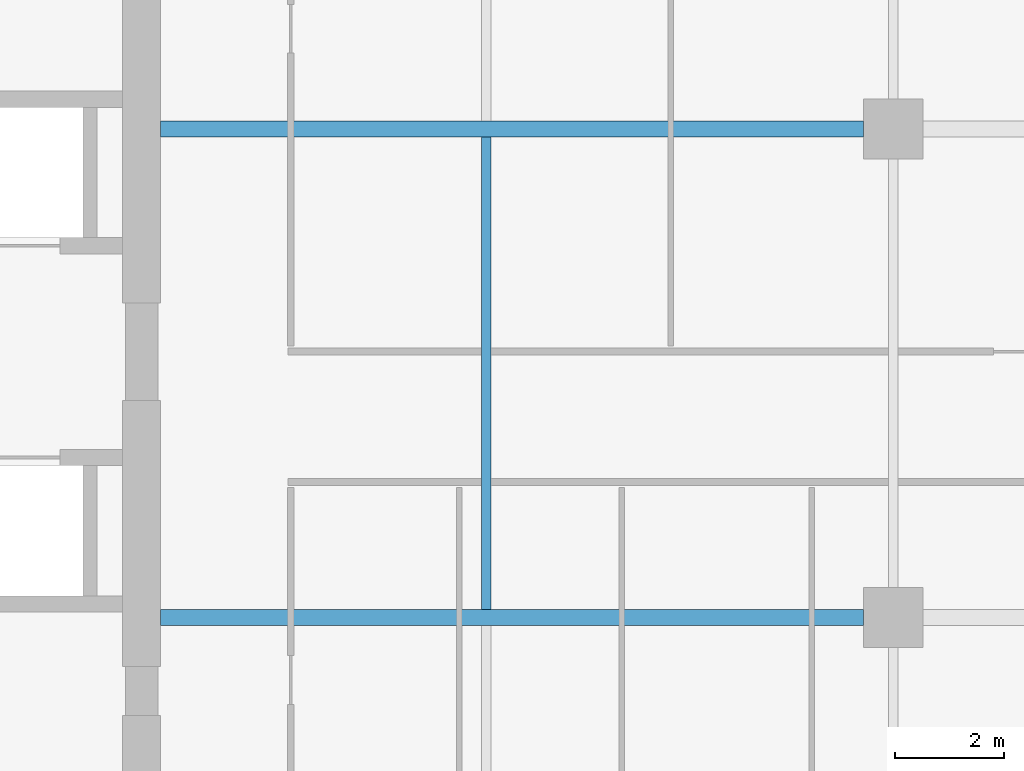
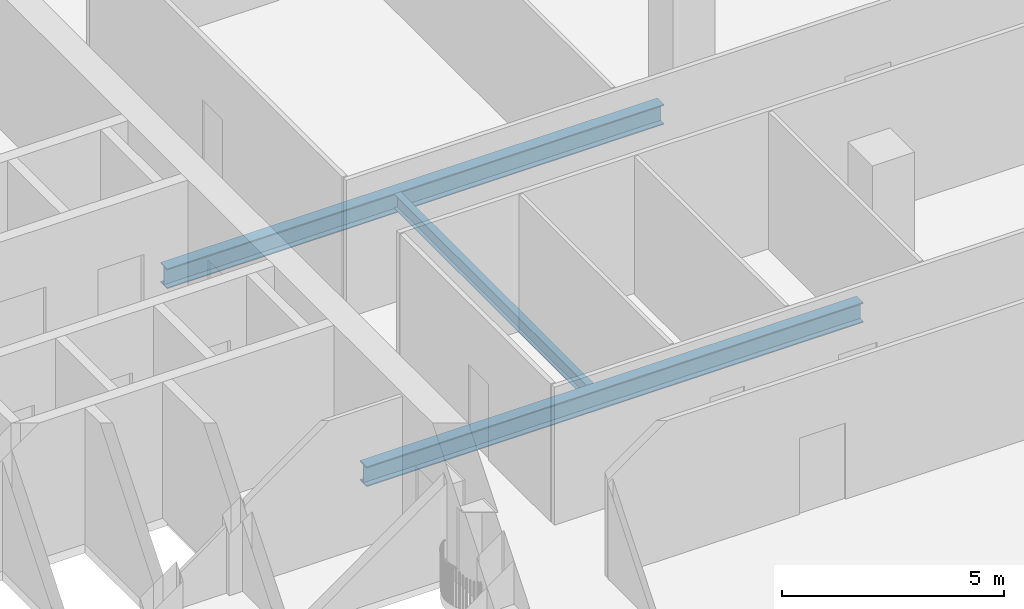
# One storey, part 7 of 33: 3 beams.
"""IFC4 building model written with IfcOpenShell, lengths in metres."""

import ifcopenshell
import ifcopenshell.guid

model = None  # the IFC model being written
_history = None  # IfcOwnerHistory: only IFC2X3 demands one
_inside = {}  # id of a spatial element -> (the spatial element, [elements in it])
_under = {}  # id of a project, library or spatial element -> (it, [spatial elements below it])
_declared = {}  # id of a project -> (the project, [libraries it declares])
_typed = {}  # id of a type object -> (the type object, [elements of that type])
_made_of = {}  # id of a material, layer set ... -> (it, [elements and type objects made of it])


def new_model(schema):
    """Start an empty IFC model of exactly this schema.

    Asked for "IFC4X3", IfcOpenShell would pick the latest addendum, in which some entities
    have other attributes; the version numbers below select the first issue.
    IFC2X3 requires an IfcOwnerHistory on every rooted entity: one is made here for all.
    """
    global model, _history
    if schema == "IFC4X3":
        model = ifcopenshell.file(schema_version=(4, 3, 0, 0))
    else:
        model = ifcopenshell.file(schema=schema)
    _inside.clear()
    _under.clear()
    _declared.clear()
    _typed.clear()
    _made_of.clear()
    _history = None
    if model.schema == "IFC2X3":
        org = make("IfcOrganization", Name="unknown")
        user = make(
            "IfcPersonAndOrganization",
            ThePerson=make("IfcPerson", FamilyName="unknown"),
            TheOrganization=org,
        )
        app = make(
            "IfcApplication",
            ApplicationDeveloper=org,
            Version="unknown",
            ApplicationFullName="unknown",
            ApplicationIdentifier="unknown",
        )
        _history = make(
            "IfcOwnerHistory",
            OwningUser=user,
            OwningApplication=app,
            ChangeAction="ADDED",
            CreationDate=0,
        )
    return model


def make(cls, **values):
    """One entity of the class cls with the attributes given. An attribute that is None is left unset."""
    return model.create_entity(
        cls, **{name: value for name, value in values.items() if value is not None}
    )


def rooted(cls, **values):
    """An entity with a GlobalId (a new one), such as an element, a storey or a relation."""
    return make(cls, GlobalId=ifcopenshell.guid.new(), OwnerHistory=_history, **values)


def si_unit(unit_type, name, prefix=None):
    """IfcSIUnit, for example si_unit("LENGTHUNIT", "METRE", prefix="MILLI")."""
    return make("IfcSIUnit", UnitType=unit_type, Prefix=prefix, Name=name)


def assignment(units):
    """IfcUnitAssignment: the units of a project."""
    return None if units is None else make("IfcUnitAssignment", Units=units)


def point(xyz):
    """IfcCartesianPoint."""
    return None if xyz is None else make("IfcCartesianPoint", Coordinates=xyz)


def direction(xyz):
    """IfcDirection."""
    return None if xyz is None else make("IfcDirection", DirectionRatios=xyz)


def frame(location, z_axis=None, x_axis=None):
    """IfcAxis2Placement3D, a coordinate frame: its origin and axes. An axis left out is left unset."""
    return make(
        "IfcAxis2Placement3D",
        Location=point(location),
        Axis=direction(z_axis),
        RefDirection=direction(x_axis),
    )


def frame_2d(location, x_axis=None):
    """IfcAxis2Placement2D, a coordinate frame in the plane: its origin and x axis."""
    return make(
        "IfcAxis2Placement2D", Location=point(location), RefDirection=direction(x_axis)
    )


def origin():
    """The frame at (0, 0, 0) with its axes left unset."""
    return frame((0.0, 0.0, 0.0))


def origin_2d():
    """The frame at (0, 0) in the plane with its x axis left unset."""
    return frame_2d((0.0, 0.0))


def place(relative_to, where):
    """IfcLocalPlacement: puts the frame where relative to a parent placement (None: the world)."""
    return make(
        "IfcLocalPlacement", PlacementRelTo=relative_to, RelativePlacement=where
    )


def context(
    kind, dimensions, precision=None, world=None, true_north=None, identifier=None
):
    """IfcGeometricRepresentationContext, for example the 3D "Model" context."""
    return make(
        "IfcGeometricRepresentationContext",
        ContextIdentifier=identifier,
        ContextType=kind,
        CoordinateSpaceDimension=dimensions,
        Precision=precision,
        WorldCoordinateSystem=world,
        TrueNorth=true_north,
    )


def subcontext(parent, identifier, kind, view, scale=None):
    """IfcGeometricRepresentationSubContext, for example "Body" below "Model"."""
    return make(
        "IfcGeometricRepresentationSubContext",
        ContextIdentifier=identifier,
        ContextType=kind,
        ParentContext=parent,
        TargetScale=scale,
        TargetView=view,
    )


def project(units=None, contexts=None):
    """IfcProject with its units and contexts."""
    return rooted(
        "IfcProject",
        Name="project",
        RepresentationContexts=contexts,
        UnitsInContext=assignment(units),
    )


def spatial(cls, under=None, at=None, **own):
    """A site, building, storey or space (cls), placed at a placement, below another one or the project."""
    s = rooted(cls, ObjectPlacement=at, **own)
    if under is not None:
        _under.setdefault(under.id(), (under, []))[1].append(s)
    return s


def profile(cls, at=None, kind="AREA", **sizes):
    """A parametric profile (cls). Its sizes go by their IFC names, for example OverallWidth=200.0."""
    return make(cls, ProfileType=kind, Position=at, **sizes)


def i_section(**sizes):
    """IfcIShapeProfileDef."""
    return profile("IfcIShapeProfileDef", **sizes)


def extrude(swept, where, along, depth):
    """IfcExtrudedAreaSolid: the profile swept, set in the frame where, extruded along a direction by depth."""
    return make(
        "IfcExtrudedAreaSolid",
        SweptArea=swept,
        Position=where,
        ExtrudedDirection=direction(along),
        Depth=depth,
    )


def shape(context_of_items, identifier, shape_type, items):
    """IfcShapeRepresentation: the items that make up one representation, for example the "Body"."""
    return make(
        "IfcShapeRepresentation",
        ContextOfItems=context_of_items,
        RepresentationIdentifier=identifier,
        RepresentationType=shape_type,
        Items=items,
    )


def source(mapping_origin, context_of_items, identifier, shape_type, items):
    """IfcRepresentationMap: a shape defined once, which mapped items show again and again."""
    return make(
        "IfcRepresentationMap",
        MappingOrigin=mapping_origin,
        MappedRepresentation=shape(context_of_items, identifier, shape_type, items),
    )


def transform(
    local_origin,
    x_axis=None,
    y_axis=None,
    z_axis=None,
    scale=None,
    scale2=None,
    scale3=None,
    uniform=True,
):
    """IfcCartesianTransformationOperator3D, or its non-uniform kind. x_axis, y_axis, z_axis: its Axis1, 2, 3."""
    if uniform:
        return make(
            "IfcCartesianTransformationOperator3D",
            Axis1=direction(x_axis),
            Axis2=direction(y_axis),
            LocalOrigin=point(local_origin),
            Scale=scale,
            Axis3=direction(z_axis),
        )
    return make(
        "IfcCartesianTransformationOperator3DnonUniform",
        Axis1=direction(x_axis),
        Axis2=direction(y_axis),
        LocalOrigin=point(local_origin),
        Scale=scale,
        Axis3=direction(z_axis),
        Scale2=scale2,
        Scale3=scale3,
    )


def mapped(mapping_source, mapping_target):
    """IfcMappedItem: shows the shape of a source again, moved by a transform."""
    return make(
        "IfcMappedItem", MappingSource=mapping_source, MappingTarget=mapping_target
    )


def material(Name=None, Category=None):
    """IfcMaterial."""
    return make("IfcMaterial", Name=Name, Category=Category)


def material_profile(
    of_material, cross_section, Name=None, Category=None, Priority=None
):
    """IfcMaterialProfile: a cross section and its material."""
    return make(
        "IfcMaterialProfile",
        Name=Name,
        Material=of_material,
        Profile=cross_section,
        Priority=Priority,
        Category=Category,
    )


def profile_set(profiles, Name=None, composite=None):
    """IfcMaterialProfileSet."""
    return make(
        "IfcMaterialProfileSet",
        Name=Name,
        MaterialProfiles=profiles,
        CompositeProfile=composite,
    )


def made_of(thing, what):
    """Note that an element or type object is made of a material, layer set ...; save() writes the relation."""
    if what is not None:
        _made_of.setdefault(what.id(), (what, []))[1].append(thing)
    return thing


def type_object(cls, material=None, **own):
    """A type object (cls), such as IfcWallType, which elements share."""
    return made_of(rooted(cls, **own), material)


def element(
    cls,
    number,
    at=None,
    inside=None,
    cuts=None,
    type_object=None,
    material=None,
    context=None,
    identifier="Body",
    shape_type=None,
    held_by="IfcProductDefinitionShape",
    body=None,
    shapes=None,
    **own,
):
    """One element of the class cls, such as IfcWall. Its Tag is "e" and its number.

    at: its placement. inside: the storey or other place that contains it. cuts: it is an
    opening in that element (IfcRelVoidsElement). A single representation is given by context,
    identifier, shape_type and body (its items); several are given by shapes. held_by: the class
    of the entity that holds the representations. save() writes the other relations.
    """
    e = rooted(cls, Tag="e%d" % number, ObjectPlacement=at, **own)
    if body is not None:
        shapes = [shape(context, identifier, shape_type, body)]
    if shapes is not None:
        e.Representation = make(held_by, Representations=shapes)
    if inside is not None:
        _inside.setdefault(inside.id(), (inside, []))[1].append(e)
    if cuts is not None:
        rooted(
            "IfcRelVoidsElement", RelatingBuildingElement=cuts, RelatedOpeningElement=e
        )
    if type_object is not None:
        _typed.setdefault(type_object.id(), (type_object, []))[1].append(e)
    return made_of(e, material)


def aggregate(whole, parts):
    """IfcRelAggregates: a whole, such as a stair, and the parts it consists of."""
    return rooted("IfcRelAggregates", RelatingObject=whole, RelatedObjects=parts)


def save(model, path):
    """Write the relations noted so far, then the file.

    IfcRelAggregates (storeys below a building ...), IfcRelContainedInSpatialStructure (elements
    in a storey), IfcRelDefinesByType, IfcRelAssociatesMaterial and IfcRelDeclares: one each for
    every whole, place, type object, material and project.
    """
    for whole, parts in _under.values():
        aggregate(whole, parts)
    for where, things in _inside.values():
        rooted(
            "IfcRelContainedInSpatialStructure",
            RelatedElements=things,
            RelatingStructure=where,
        )
    for kind, things in _typed.values():
        rooted("IfcRelDefinesByType", RelatedObjects=things, RelatingType=kind)
    for what, things in _made_of.values():
        rooted("IfcRelAssociatesMaterial", RelatedObjects=things, RelatingMaterial=what)
    for by, libraries in _declared.values():
        rooted("IfcRelDeclares", RelatingContext=by, RelatedDefinitions=libraries)
    model.write(path)


model = new_model("IFC4")

# Units and contexts
model_context = context("Model", 3, precision=1e-05, world=origin(), true_north=direction((0.0, 1.0)))
body_context = subcontext(model_context, "Body", "Model", "MODEL_VIEW")
ifc_project = project(units=[si_unit("LENGTHUNIT", "METRE"), si_unit("AREAUNIT", "SQUARE_METRE"), si_unit("VOLUMEUNIT", "CUBIC_METRE"), si_unit("PLANEANGLEUNIT", "RADIAN"), si_unit("MASSUNIT", "GRAM", prefix="KILO")], contexts=[model_context])

# Site, building, storey
site_placement = place(None, origin())
site = spatial("IfcSite", under=ifc_project, at=site_placement, CompositionType="ELEMENT")
building_placement = place(site_placement, origin())
building = spatial("IfcBuilding", under=site, at=building_placement, Name="Khomas Fold Tower", CompositionType="ELEMENT")
storey_placement = place(building_placement, frame((0.0, 0.0, 234.199951171875)))
storey = spatial("IfcBuildingStorey", under=building, at=storey_placement, Name="L52", CompositionType="ELEMENT", Elevation=234.199951171875)

# Beams
ifc_material_1 = material(Name="Steel S355", Category="steel")
ifc_material_profile_1 = material_profile(ifc_material_1, i_section(OverallWidth=0.179931640625, OverallDepth=0.39990234375, WebThickness=0.008544921875, FlangeThickness=0.013427734375, at=origin_2d()), Name="IPE 400")
ifc_profile_set_1 = profile_set([ifc_material_profile_1], Name="Steel S355")
beam_type_1 = type_object("IfcBeamType", Name="IPE 400 beam JB3", PredefinedType="BEAM", material=ifc_profile_set_1)
shared_shape_1 = source(origin(), body_context, "Body", "SweptSolid", [
    extrude(i_section(OverallWidth=0.179931640625, OverallDepth=0.39990234375, WebThickness=0.008544921875, FlangeThickness=0.013427734375, at=origin_2d()), origin(), (0.0, 0.0, 1.0), 8.7001953125),
])
beam_placement = place(storey_placement, frame((27.0, 22.64990234375, -0.449951171875), z_axis=(0.0, 1.0, 0.0), x_axis=(-1.0, 0.0, 0.0)))
element("IfcBeam", 1, at=beam_placement, inside=storey, type_object=beam_type_1, Name="JB3", PredefinedType="BEAM", context=body_context, shape_type="MappedRepresentation", body=[
    mapped(shared_shape_1, transform((0.0, 0.0, 0.0))),
])
ifc_material_2 = material(Name="Steel S355", Category="steel")
ifc_material_profile_2 = material_profile(ifc_material_2, i_section(OverallWidth=0.300048828125, OverallDepth=0.550048828125, WebThickness=0.014892578125, FlangeThickness=0.029052734375, at=origin_2d()), Name="HE 550 B")
ifc_profile_set_2 = profile_set([ifc_material_profile_2], Name="Steel S355")
beam_type_2 = type_object("IfcBeamType", Name="HE 550 B beam GB4", PredefinedType="BEAM", material=ifc_profile_set_2)
shared_shape_2 = source(origin(), body_context, "Body", "SweptSolid", [
    extrude(i_section(OverallWidth=0.300048828125, OverallDepth=0.550048828125, WebThickness=0.014892578125, FlangeThickness=0.029052734375, at=origin_2d()), origin(), (0.0, 0.0, 1.0), 12.949951171875),
])
for number, where, z_axis, x_axis, name in (
    (2, (21.0, 22.5, -0.52490234375), (1.0, 0.0, 0.0), (0.0, 1.0, 0.0), "GB4"),
    (3, (21.0, 31.5, -0.52490234375), (1.0, 0.0, 0.0), (0.0, 1.0, 0.0), "GB4"),
):
    element("IfcBeam", number, at=place(storey_placement, frame(where, z_axis=z_axis, x_axis=x_axis)), inside=storey, type_object=beam_type_2, Name=name, PredefinedType="BEAM", context=body_context, shape_type="MappedRepresentation", body=[
        mapped(shared_shape_2, transform((0.0, 0.0, 0.0))),
    ])

save(model, "model.ifc")
